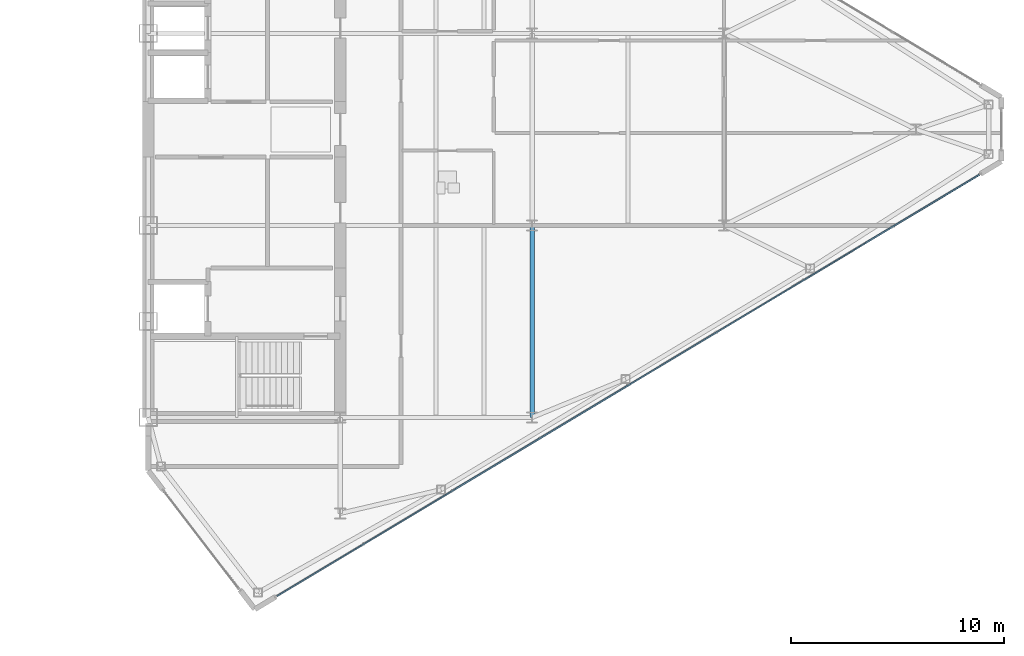
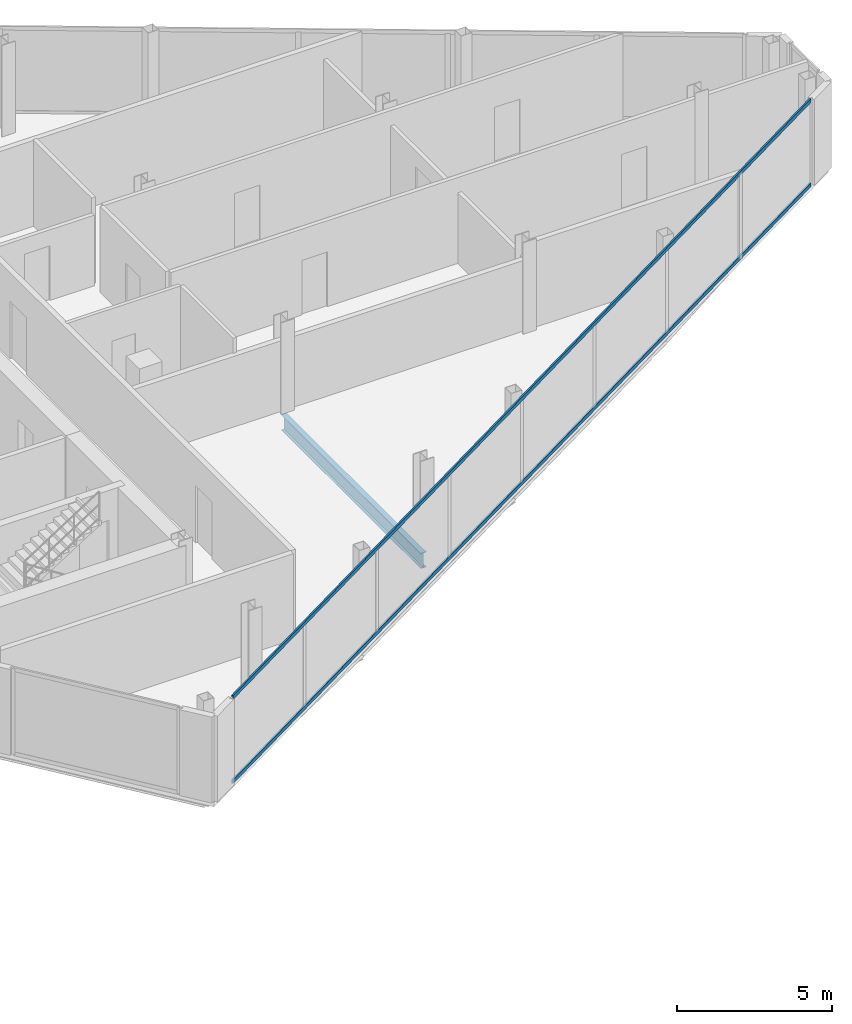
# One storey, part 12 of 25: 2 members, 1 beam, 1 element without a shape of its own.
"""IFC4 building model written with IfcOpenShell, lengths in metres."""

from ifc_helpers import new_model, si_unit, direction, frame, origin, origin_2d, place, context, subcontext, project, spatial, rectangle, i_section, extrude, source, transform, mapped, material, layer, layer_set, material_profile, profile_set, type_object, type_shapes, element, aggregate, save


model = new_model("IFC4")

# Units and contexts
model_context = context("Model", 3, precision=1e-05, world=origin(), true_north=direction((0.0, 1.0)))
body_context = subcontext(model_context, "Body", "Model", "MODEL_VIEW")
ifc_project = project(units=[si_unit("LENGTHUNIT", "METRE"), si_unit("AREAUNIT", "SQUARE_METRE"), si_unit("VOLUMEUNIT", "CUBIC_METRE"), si_unit("PLANEANGLEUNIT", "RADIAN"), si_unit("MASSUNIT", "GRAM", prefix="KILO")], contexts=[model_context])

# Site, building, storey
site_placement = place(None, origin())
site = spatial("IfcSite", under=ifc_project, at=site_placement, CompositionType="ELEMENT")
building_placement = place(site_placement, origin())
building = spatial("IfcBuilding", under=site, at=building_placement, Name="Seokmaru Belvedere", CompositionType="ELEMENT")
storey_placement = place(building_placement, frame((0.0, 0.0, 203.10009765625)))
storey = spatial("IfcBuildingStorey", under=building, at=storey_placement, Name="L54", CompositionType="ELEMENT", Elevation=203.10009765625)

# Beam
ifc_material_1 = material(Name="Steel SM355 (355 MPa)", Category="steel")
ifc_material_profile_1 = material_profile(ifc_material_1, i_section(OverallWidth=0.199951171875, OverallDepth=0.60009765625, WebThickness=0.010986328125, FlangeThickness=0.01708984375, at=origin_2d()), Name="H-600x200x11x17")
ifc_profile_set_1 = profile_set([ifc_material_profile_1], Name="Steel SM355 (355 MPa)")
beam_type = type_object("IfcBeamType", Name="Primary Floor Girder H-600", PredefinedType="BEAM", material=ifc_profile_set_1)
shared_shape_1 = source(origin(), body_context, "Body", "SweptSolid", [
    extrude(i_section(OverallWidth=0.199951171875, OverallDepth=0.60009765625, WebThickness=0.010986328125, FlangeThickness=0.01708984375, at=origin_2d()), origin(), (0.0, 0.0, 1.0), 9.0),
])
type_shapes(beam_type, [shared_shape_1])
beam_placement = place(storey_placement, frame((45.5, -13.5, -0.52001953125), z_axis=(0.0, 1.0, 0.0), x_axis=(-1.0, 0.0, 0.0)))
element("IfcBeam", 1, at=beam_placement, inside=storey, type_object=beam_type, Name="L54 E Interior Grid Girder 1", PredefinedType="BEAM", context=body_context, shape_type="MappedRepresentation", body=[
    mapped(shared_shape_1, transform((0.0, 0.0, 0.0), scale=1.0)),
])

# Curtain wall, members
ifc_material_2 = material(Name="Bronze Triple Insulating Glass", Category="glass")
ifc_layer = layer(ifc_material_2, 0.179931640625)
ifc_layer_set = layer_set([ifc_layer], Name="Bronze Triple Insulating Glass")
curtain_wall_type = type_object("IfcCurtainWallType", Name="High-Rise Wind-Corner Curtain Wall System CW-5", PredefinedType="NOTDEFINED", material=ifc_layer_set)
curtain_wall_placement = place(storey_placement, origin())
curtain_wall = element("IfcCurtainWall", 2, at=curtain_wall_placement, inside=storey, type_object=curtain_wall_type, Name="L54 Curtain Wall EF1", PredefinedType="NOTDEFINED")
ifc_material_3 = material(Name="Anodised Bronze Aluminium", Category="aluminium")
ifc_material_profile_2 = material_profile(ifc_material_3, rectangle(XDim=0.06494140625, YDim=0.14990234375, at=origin_2d()), Name="CW-T-65x150")
ifc_profile_set_2 = profile_set([ifc_material_profile_2], Name="Anodised Bronze Aluminium")
member_type = type_object("IfcMemberType", Name="Bronze Unitised Transom 65x150", PredefinedType="USERDEFINED", material=ifc_profile_set_2)
shared_shape_2 = source(origin(), body_context, "Body", "SweptSolid", [
    extrude(rectangle(XDim=0.06494140625, YDim=0.14990234375, at=origin_2d()), origin(), (0.0, 0.0, 1.0), 38.386962890625),
])
type_shapes(member_type, [shared_shape_2])
member_1_placement = place(storey_placement, frame((33.541748046875, -21.875, 0.032470703125), z_axis=(0.85749180336, 0.514497626011, 0.0), x_axis=(-0.514497626011, 0.85749180336, 0.0)))
member_1 = element("IfcMember", 3, at=member_1_placement, type_object=member_type, Name="CW:L54:EF1 Continuous Transom 1", ObjectType="TRANSOM", PredefinedType="USERDEFINED", context=body_context, shape_type="MappedRepresentation", body=[
    mapped(shared_shape_2, transform((0.0, 0.0, 0.0), scale=1.0)),
])
member_2_placement = place(storey_placement, frame((33.541748046875, -21.875, 3.347412109375), z_axis=(0.85749180336, 0.514497626011, 0.0), x_axis=(-0.514497626011, 0.85749180336, 0.0)))
member_2 = element("IfcMember", 4, at=member_2_placement, type_object=member_type, Name="CW:L54:EF1 Continuous Transom 2", ObjectType="TRANSOM", PredefinedType="USERDEFINED", context=body_context, shape_type="MappedRepresentation", body=[
    mapped(shared_shape_2, transform((0.0, 0.0, 0.0), scale=1.0)),
])
aggregate(curtain_wall, [member_1, member_2])

save(model, "model.ifc")
